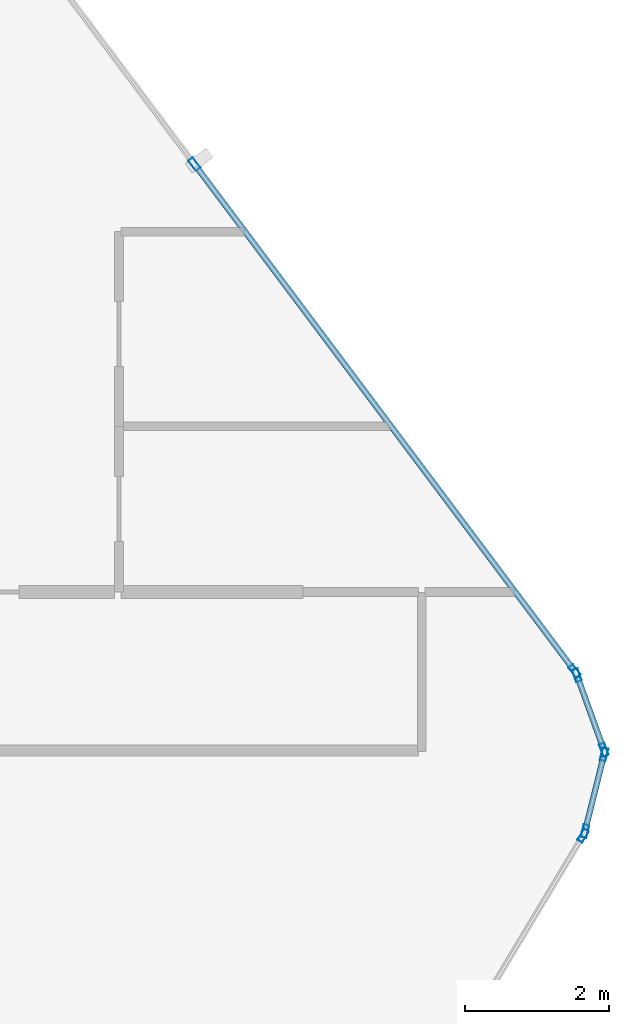
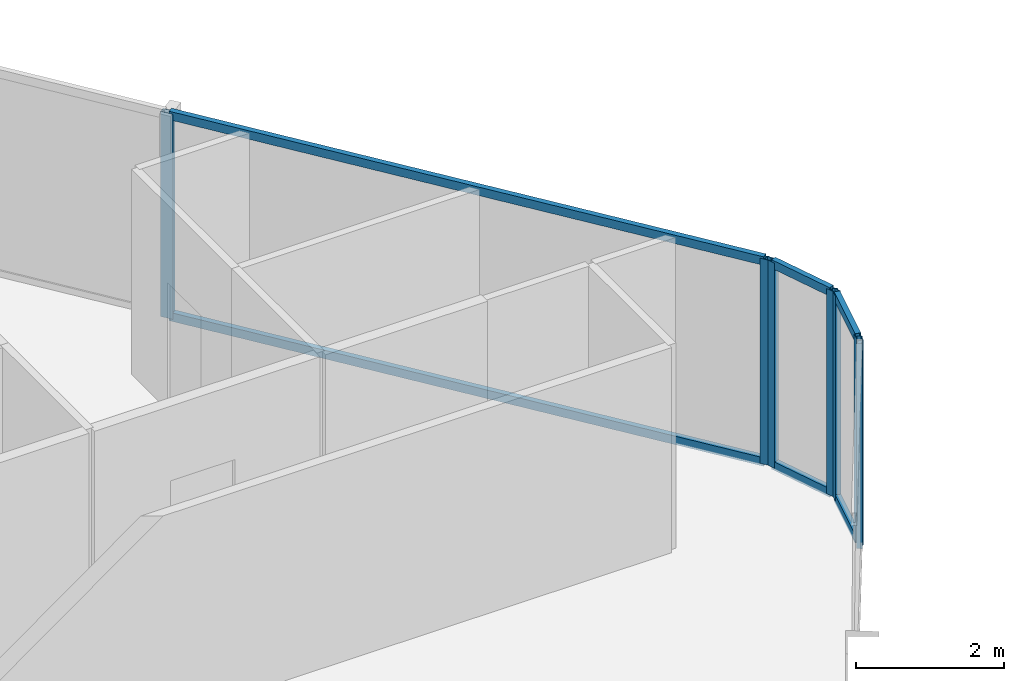
# One storey, part 18 of 30: 13 members, 4 elements without a shape of their own.
"""IFC4 building model written with IfcOpenShell, lengths in metres."""

import ifcopenshell
import ifcopenshell.guid

model = None  # the IFC model being written
_history = None  # IfcOwnerHistory: only IFC2X3 demands one
_inside = {}  # id of a spatial element -> (the spatial element, [elements in it])
_under = {}  # id of a project, library or spatial element -> (it, [spatial elements below it])
_declared = {}  # id of a project -> (the project, [libraries it declares])
_typed = {}  # id of a type object -> (the type object, [elements of that type])
_made_of = {}  # id of a material, layer set ... -> (it, [elements and type objects made of it])


def new_model(schema):
    """Start an empty IFC model of exactly this schema.

    Asked for "IFC4X3", IfcOpenShell would pick the latest addendum, in which some entities
    have other attributes; the version numbers below select the first issue.
    IFC2X3 requires an IfcOwnerHistory on every rooted entity: one is made here for all.
    """
    global model, _history
    if schema == "IFC4X3":
        model = ifcopenshell.file(schema_version=(4, 3, 0, 0))
    else:
        model = ifcopenshell.file(schema=schema)
    _inside.clear()
    _under.clear()
    _declared.clear()
    _typed.clear()
    _made_of.clear()
    _history = None
    if model.schema == "IFC2X3":
        org = make("IfcOrganization", Name="unknown")
        user = make(
            "IfcPersonAndOrganization",
            ThePerson=make("IfcPerson", FamilyName="unknown"),
            TheOrganization=org,
        )
        app = make(
            "IfcApplication",
            ApplicationDeveloper=org,
            Version="unknown",
            ApplicationFullName="unknown",
            ApplicationIdentifier="unknown",
        )
        _history = make(
            "IfcOwnerHistory",
            OwningUser=user,
            OwningApplication=app,
            ChangeAction="ADDED",
            CreationDate=0,
        )
    return model


def make(cls, **values):
    """One entity of the class cls with the attributes given. An attribute that is None is left unset."""
    return model.create_entity(
        cls, **{name: value for name, value in values.items() if value is not None}
    )


def rooted(cls, **values):
    """An entity with a GlobalId (a new one), such as an element, a storey or a relation."""
    return make(cls, GlobalId=ifcopenshell.guid.new(), OwnerHistory=_history, **values)


def si_unit(unit_type, name, prefix=None):
    """IfcSIUnit, for example si_unit("LENGTHUNIT", "METRE", prefix="MILLI")."""
    return make("IfcSIUnit", UnitType=unit_type, Prefix=prefix, Name=name)


def assignment(units):
    """IfcUnitAssignment: the units of a project."""
    return None if units is None else make("IfcUnitAssignment", Units=units)


def point(xyz):
    """IfcCartesianPoint."""
    return None if xyz is None else make("IfcCartesianPoint", Coordinates=xyz)


def direction(xyz):
    """IfcDirection."""
    return None if xyz is None else make("IfcDirection", DirectionRatios=xyz)


def frame(location, z_axis=None, x_axis=None):
    """IfcAxis2Placement3D, a coordinate frame: its origin and axes. An axis left out is left unset."""
    return make(
        "IfcAxis2Placement3D",
        Location=point(location),
        Axis=direction(z_axis),
        RefDirection=direction(x_axis),
    )


def frame_2d(location, x_axis=None):
    """IfcAxis2Placement2D, a coordinate frame in the plane: its origin and x axis."""
    return make(
        "IfcAxis2Placement2D", Location=point(location), RefDirection=direction(x_axis)
    )


def origin():
    """The frame at (0, 0, 0) with its axes left unset."""
    return frame((0.0, 0.0, 0.0))


def origin_2d():
    """The frame at (0, 0) in the plane with its x axis left unset."""
    return frame_2d((0.0, 0.0))


def place(relative_to, where):
    """IfcLocalPlacement: puts the frame where relative to a parent placement (None: the world)."""
    return make(
        "IfcLocalPlacement", PlacementRelTo=relative_to, RelativePlacement=where
    )


def context(
    kind, dimensions, precision=None, world=None, true_north=None, identifier=None
):
    """IfcGeometricRepresentationContext, for example the 3D "Model" context."""
    return make(
        "IfcGeometricRepresentationContext",
        ContextIdentifier=identifier,
        ContextType=kind,
        CoordinateSpaceDimension=dimensions,
        Precision=precision,
        WorldCoordinateSystem=world,
        TrueNorth=true_north,
    )


def subcontext(parent, identifier, kind, view, scale=None):
    """IfcGeometricRepresentationSubContext, for example "Body" below "Model"."""
    return make(
        "IfcGeometricRepresentationSubContext",
        ContextIdentifier=identifier,
        ContextType=kind,
        ParentContext=parent,
        TargetScale=scale,
        TargetView=view,
    )


def project(units=None, contexts=None):
    """IfcProject with its units and contexts."""
    return rooted(
        "IfcProject",
        Name="project",
        RepresentationContexts=contexts,
        UnitsInContext=assignment(units),
    )


def spatial(cls, under=None, at=None, **own):
    """A site, building, storey or space (cls), placed at a placement, below another one or the project."""
    s = rooted(cls, ObjectPlacement=at, **own)
    if under is not None:
        _under.setdefault(under.id(), (under, []))[1].append(s)
    return s


def profile(cls, at=None, kind="AREA", **sizes):
    """A parametric profile (cls). Its sizes go by their IFC names, for example OverallWidth=200.0."""
    return make(cls, ProfileType=kind, Position=at, **sizes)


def hollow_rectangle(**sizes):
    """IfcRectangleHollowProfileDef."""
    return profile("IfcRectangleHollowProfileDef", **sizes)


def extrude(swept, where, along, depth):
    """IfcExtrudedAreaSolid: the profile swept, set in the frame where, extruded along a direction by depth."""
    return make(
        "IfcExtrudedAreaSolid",
        SweptArea=swept,
        Position=where,
        ExtrudedDirection=direction(along),
        Depth=depth,
    )


def shape(context_of_items, identifier, shape_type, items):
    """IfcShapeRepresentation: the items that make up one representation, for example the "Body"."""
    return make(
        "IfcShapeRepresentation",
        ContextOfItems=context_of_items,
        RepresentationIdentifier=identifier,
        RepresentationType=shape_type,
        Items=items,
    )


def material(Name=None, Category=None):
    """IfcMaterial."""
    return make("IfcMaterial", Name=Name, Category=Category)


def layer(
    of_material, thickness, ventilated=None, Name=None, Category=None, Priority=None
):
    """IfcMaterialLayer: one layer of a wall or slab, of a material (None: an air gap)."""
    return make(
        "IfcMaterialLayer",
        Material=of_material,
        LayerThickness=thickness,
        IsVentilated=ventilated,
        Name=Name,
        Category=Category,
        Priority=Priority,
    )


def layer_set(layers, Name=None):
    """IfcMaterialLayerSet."""
    return make("IfcMaterialLayerSet", MaterialLayers=layers, LayerSetName=Name)


def material_profile(
    of_material, cross_section, Name=None, Category=None, Priority=None
):
    """IfcMaterialProfile: a cross section and its material."""
    return make(
        "IfcMaterialProfile",
        Name=Name,
        Material=of_material,
        Profile=cross_section,
        Priority=Priority,
        Category=Category,
    )


def profile_set(profiles, Name=None, composite=None):
    """IfcMaterialProfileSet."""
    return make(
        "IfcMaterialProfileSet",
        Name=Name,
        MaterialProfiles=profiles,
        CompositeProfile=composite,
    )


def made_of(thing, what):
    """Note that an element or type object is made of a material, layer set ...; save() writes the relation."""
    if what is not None:
        _made_of.setdefault(what.id(), (what, []))[1].append(thing)
    return thing


def type_object(cls, material=None, **own):
    """A type object (cls), such as IfcWallType, which elements share."""
    return made_of(rooted(cls, **own), material)


def element(
    cls,
    number,
    at=None,
    inside=None,
    cuts=None,
    type_object=None,
    material=None,
    context=None,
    identifier="Body",
    shape_type=None,
    held_by="IfcProductDefinitionShape",
    body=None,
    shapes=None,
    **own,
):
    """One element of the class cls, such as IfcWall. Its Tag is "e" and its number.

    at: its placement. inside: the storey or other place that contains it. cuts: it is an
    opening in that element (IfcRelVoidsElement). A single representation is given by context,
    identifier, shape_type and body (its items); several are given by shapes. held_by: the class
    of the entity that holds the representations. save() writes the other relations.
    """
    e = rooted(cls, Tag="e%d" % number, ObjectPlacement=at, **own)
    if body is not None:
        shapes = [shape(context, identifier, shape_type, body)]
    if shapes is not None:
        e.Representation = make(held_by, Representations=shapes)
    if inside is not None:
        _inside.setdefault(inside.id(), (inside, []))[1].append(e)
    if cuts is not None:
        rooted(
            "IfcRelVoidsElement", RelatingBuildingElement=cuts, RelatedOpeningElement=e
        )
    if type_object is not None:
        _typed.setdefault(type_object.id(), (type_object, []))[1].append(e)
    return made_of(e, material)


def aggregate(whole, parts):
    """IfcRelAggregates: a whole, such as a stair, and the parts it consists of."""
    return rooted("IfcRelAggregates", RelatingObject=whole, RelatedObjects=parts)


def save(model, path):
    """Write the relations noted so far, then the file.

    IfcRelAggregates (storeys below a building ...), IfcRelContainedInSpatialStructure (elements
    in a storey), IfcRelDefinesByType, IfcRelAssociatesMaterial and IfcRelDeclares: one each for
    every whole, place, type object, material and project.
    """
    for whole, parts in _under.values():
        aggregate(whole, parts)
    for where, things in _inside.values():
        rooted(
            "IfcRelContainedInSpatialStructure",
            RelatedElements=things,
            RelatingStructure=where,
        )
    for kind, things in _typed.values():
        rooted("IfcRelDefinesByType", RelatedObjects=things, RelatingType=kind)
    for what, things in _made_of.values():
        rooted("IfcRelAssociatesMaterial", RelatedObjects=things, RelatingMaterial=what)
    for by, libraries in _declared.values():
        rooted("IfcRelDeclares", RelatingContext=by, RelatedDefinitions=libraries)
    model.write(path)


model = new_model("IFC4")

# Units and contexts
model_context = context("Model", 3, precision=1e-05, world=origin(), true_north=direction((0.0, 1.0)))
body_context = subcontext(model_context, "Body", "Model", "MODEL_VIEW")
ifc_project = project(units=[si_unit("LENGTHUNIT", "METRE"), si_unit("AREAUNIT", "SQUARE_METRE"), si_unit("VOLUMEUNIT", "CUBIC_METRE"), si_unit("PLANEANGLEUNIT", "RADIAN"), si_unit("MASSUNIT", "GRAM", prefix="KILO")], contexts=[model_context])

# Site, building, storey
site_placement = place(None, origin())
site = spatial("IfcSite", under=ifc_project, at=site_placement, CompositionType="ELEMENT")
building_placement = place(site_placement, origin())
building = spatial("IfcBuilding", under=site, at=building_placement, Name="Keshet Zoharim Tower", CompositionType="ELEMENT")
storey_placement = place(building_placement, frame((0.0, 0.0, 116.800048828125)))
storey = spatial("IfcBuildingStorey", under=building, at=storey_placement, Name="L28", CompositionType="ELEMENT", Elevation=116.800048828125)

# Curtain wall, members
ifc_material = material(Name="Aluminium 6063-T6", Category="aluminium")
ifc_layer = layer(ifc_material, 0.159912109375)
ifc_layer_set = layer_set([ifc_layer], Name="Aluminium 6063-T6")
curtain_wall_type = type_object("IfcCurtainWallType", Name="CW-SYS-03", PredefinedType="NOTDEFINED", material=ifc_layer_set)
curtain_wall_1_placement = place(storey_placement, origin())
curtain_wall_1 = element("IfcCurtainWall", 1, at=curtain_wall_1_placement, inside=storey, type_object=curtain_wall_type, Name="L28 Unitised Curtain Wall 15", PredefinedType="NOTDEFINED")
ifc_material_profile_1 = material_profile(ifc_material, hollow_rectangle(XDim=0.080078125, YDim=0.179931640625, WallThickness=0.00439453125, at=origin_2d()), Name="MUL-80x180")
ifc_profile_set_1 = profile_set([ifc_material_profile_1], Name="Aluminium 6063-T6")
member_type_1 = type_object("IfcMemberType", Name="CWM-M18", PredefinedType="MULLION", material=ifc_profile_set_1)
member_1_placement = place(storey_placement, frame((56.896484375, 46.0380859375, 0.0), z_axis=(0.0, 0.0, 1.0), x_axis=(0.799999999998, 0.600000000002, 0.0)))
member_1 = element("IfcMember", 2, at=member_1_placement, type_object=member_type_1, Name="CW-03 mullion 2", PredefinedType="MULLION", context=body_context, shape_type="SweptSolid", body=[
    extrude(hollow_rectangle(XDim=0.080078125, YDim=0.179931640625, WallThickness=0.00439453125, at=origin_2d()), origin(), (0.0, 0.0, 1.0), 3.3798828125),
])
member_2_placement = place(storey_placement, frame((62.172119140625, 39.00390625, 0.0), z_axis=(0.0, 0.0, 1.0), x_axis=(0.799999999998, 0.600000000002, 0.0)))
member_2 = element("IfcMember", 3, at=member_2_placement, type_object=member_type_1, Name="CW-03 mullion 3", PredefinedType="MULLION", context=body_context, shape_type="SweptSolid", body=[
    extrude(hollow_rectangle(XDim=0.080078125, YDim=0.179931640625, WallThickness=0.00439453125, at=origin_2d()), origin(), (0.0, 0.0, 1.0), 3.3798828125),
])

curtain_wall_2_placement = place(storey_placement, origin())
curtain_wall_2 = element("IfcCurtainWall", 4, at=curtain_wall_2_placement, inside=storey, type_object=curtain_wall_type, Name="L28 Unitised Curtain Wall 16", PredefinedType="NOTDEFINED")
member_3_placement = place(storey_placement, frame((62.204833984375, 38.943115234375, 0.0), z_axis=(0.0, 0.0, 1.0), x_axis=(0.940317877544, 0.340297354046, 0.0)))
member_3 = element("IfcMember", 5, at=member_3_placement, type_object=member_type_1, Name="CW-03 mullion 1", PredefinedType="MULLION", context=body_context, shape_type="SweptSolid", body=[
    extrude(hollow_rectangle(XDim=0.080078125, YDim=0.179931640625, WallThickness=0.00439453125, at=origin_2d()), origin(), (0.0, 0.0, 1.0), 3.3798828125),
])
member_4_placement = place(storey_placement, frame((62.578125, 37.911865234375, 0.0), z_axis=(0.0, 0.0, 1.0), x_axis=(0.940317877544, 0.340297354046, 0.0)))
member_4 = element("IfcMember", 6, at=member_4_placement, type_object=member_type_1, Name="CW-03 mullion 2", PredefinedType="MULLION", context=body_context, shape_type="SweptSolid", body=[
    extrude(hollow_rectangle(XDim=0.080078125, YDim=0.179931640625, WallThickness=0.00439453125, at=origin_2d()), origin(), (0.0, 0.0, 1.0), 3.3798828125),
])

curtain_wall_3_placement = place(storey_placement, origin())
curtain_wall_3 = element("IfcCurtainWall", 7, at=curtain_wall_3_placement, inside=storey, type_object=curtain_wall_type, Name="L28 Unitised Curtain Wall 17", PredefinedType="NOTDEFINED")
member_5_placement = place(storey_placement, frame((62.58154296875, 37.844970703125, 0.0), z_axis=(0.0, 0.0, 1.0), x_axis=(0.970343857447, -0.241728770141, 0.0)))
member_5 = element("IfcMember", 8, at=member_5_placement, type_object=member_type_1, Name="CW-03 mullion 1", PredefinedType="MULLION", context=body_context, shape_type="SweptSolid", body=[
    extrude(hollow_rectangle(XDim=0.080078125, YDim=0.179931640625, WallThickness=0.00439453125, at=origin_2d()), origin(), (0.0, 0.0, 1.0), 3.3798828125),
])
member_6_placement = place(storey_placement, frame((62.31640625, 36.781005859375, 0.0), z_axis=(0.0, 0.0, 1.0), x_axis=(0.970343857447, -0.241728770141, 0.0)))
member_6 = element("IfcMember", 9, at=member_6_placement, type_object=member_type_1, Name="CW-03 mullion 2", PredefinedType="MULLION", context=body_context, shape_type="SweptSolid", body=[
    extrude(hollow_rectangle(XDim=0.080078125, YDim=0.179931640625, WallThickness=0.00439453125, at=origin_2d()), origin(), (0.0, 0.0, 1.0), 3.3798828125),
])

# Curtain wall, member
curtain_wall_4_placement = place(storey_placement, origin())
curtain_wall_4 = element("IfcCurtainWall", 10, at=curtain_wall_4_placement, inside=storey, type_object=curtain_wall_type, Name="L28 Unitised Curtain Wall 18", PredefinedType="NOTDEFINED")
member_7_placement = place(storey_placement, frame((62.2900390625, 36.717041015625, 0.0), z_axis=(0.0, 0.0, 1.0), x_axis=(0.857501477862, -0.514481501576, 0.0)))
member_7 = element("IfcMember", 11, at=member_7_placement, type_object=member_type_1, Name="CW-03 mullion 1", PredefinedType="MULLION", context=body_context, shape_type="SweptSolid", body=[
    extrude(hollow_rectangle(XDim=0.080078125, YDim=0.179931640625, WallThickness=0.00439453125, at=origin_2d()), origin(), (0.0, 0.0, 1.0), 3.3798828125),
])
aggregate(curtain_wall_4, [member_7])

# Member
ifc_material_profile_2 = material_profile(ifc_material, hollow_rectangle(XDim=0.080078125, YDim=0.139892578125, WallThickness=0.00390625, at=origin_2d()), Name="TRN-80x140")
ifc_profile_set_2 = profile_set([ifc_material_profile_2], Name="Aluminium 6063-T6")
member_type_2 = type_object("IfcMemberType", Name="CWT-T14", PredefinedType="USERDEFINED", material=ifc_profile_set_2)
member_8_placement = place(storey_placement, frame((56.91748046875, 46.010009765625, 0.034912109375), z_axis=(0.599991043201, -0.800006717521, 0.0), x_axis=(0.800006717521, 0.599991043201, 0.0)))
member_8 = element("IfcMember", 12, at=member_8_placement, type_object=member_type_2, Name="CW-03 transom 2.1", ObjectType="TRANSOM", PredefinedType="USERDEFINED", context=body_context, shape_type="SweptSolid", body=[
    extrude(hollow_rectangle(XDim=0.080078125, YDim=0.139892578125, WallThickness=0.00390625, at=origin_2d()), origin(), (0.0, 0.0, 1.0), 8.722412109375),
])

member_9_placement = place(storey_placement, frame((56.91748046875, 46.010009765625, 3.344970703125), z_axis=(0.599991043201, -0.800006717521, 0.0), x_axis=(0.800006717521, 0.599991043201, 0.0)))
member_9 = element("IfcMember", 13, at=member_9_placement, type_object=member_type_2, Name="CW-03 transom 2.2", ObjectType="TRANSOM", PredefinedType="USERDEFINED", context=body_context, shape_type="SweptSolid", body=[
    extrude(hollow_rectangle(XDim=0.080078125, YDim=0.139892578125, WallThickness=0.00390625, at=origin_2d()), origin(), (0.0, 0.0, 1.0), 8.722412109375),
])

aggregate(curtain_wall_1, [member_1, member_2, member_8, member_9])

member_10_placement = place(storey_placement, frame((62.216796875, 38.91015625, 0.034912109375), z_axis=(0.340310579984, -0.940313091024, 0.0), x_axis=(0.940313091024, 0.340310579984, 0.0)))
member_10 = element("IfcMember", 14, at=member_10_placement, type_object=member_type_2, Name="CW-03 transom 1.1", ObjectType="TRANSOM", PredefinedType="USERDEFINED", context=body_context, shape_type="SweptSolid", body=[
    extrude(hollow_rectangle(XDim=0.080078125, YDim=0.139892578125, WallThickness=0.00390625, at=origin_2d()), origin(), (0.0, 0.0, 1.0), 1.026611328125),
])

member_11_placement = place(storey_placement, frame((62.216796875, 38.91015625, 3.344970703125), z_axis=(0.340310579984, -0.940313091024, 0.0), x_axis=(0.940313091024, 0.340310579984, 0.0)))
member_11 = element("IfcMember", 15, at=member_11_placement, type_object=member_type_2, Name="CW-03 transom 1.2", ObjectType="TRANSOM", PredefinedType="USERDEFINED", context=body_context, shape_type="SweptSolid", body=[
    extrude(hollow_rectangle(XDim=0.080078125, YDim=0.139892578125, WallThickness=0.00390625, at=origin_2d()), origin(), (0.0, 0.0, 1.0), 1.026611328125),
])

aggregate(curtain_wall_2, [member_3, member_4, member_10, member_11])

member_12_placement = place(storey_placement, frame((62.572998046875, 37.81103515625, 0.034912109375), z_axis=(-0.241640143717, -0.970365931463, 0.0), x_axis=(0.970365931463, -0.241640143717, 0.0)))
member_12 = element("IfcMember", 16, at=member_12_placement, type_object=member_type_2, Name="CW-03 transom 1.1", ObjectType="TRANSOM", PredefinedType="USERDEFINED", context=body_context, shape_type="SweptSolid", body=[
    extrude(hollow_rectangle(XDim=0.080078125, YDim=0.139892578125, WallThickness=0.00390625, at=origin_2d()), origin(), (0.0, 0.0, 1.0), 1.026611328125),
])

member_13_placement = place(storey_placement, frame((62.572998046875, 37.81103515625, 3.344970703125), z_axis=(-0.241640143717, -0.970365931463, 0.0), x_axis=(0.970365931463, -0.241640143717, 0.0)))
member_13 = element("IfcMember", 17, at=member_13_placement, type_object=member_type_2, Name="CW-03 transom 1.2", ObjectType="TRANSOM", PredefinedType="USERDEFINED", context=body_context, shape_type="SweptSolid", body=[
    extrude(hollow_rectangle(XDim=0.080078125, YDim=0.139892578125, WallThickness=0.00390625, at=origin_2d()), origin(), (0.0, 0.0, 1.0), 1.026611328125),
])

aggregate(curtain_wall_3, [member_5, member_6, member_12, member_13])

save(model, "model.ifc")
